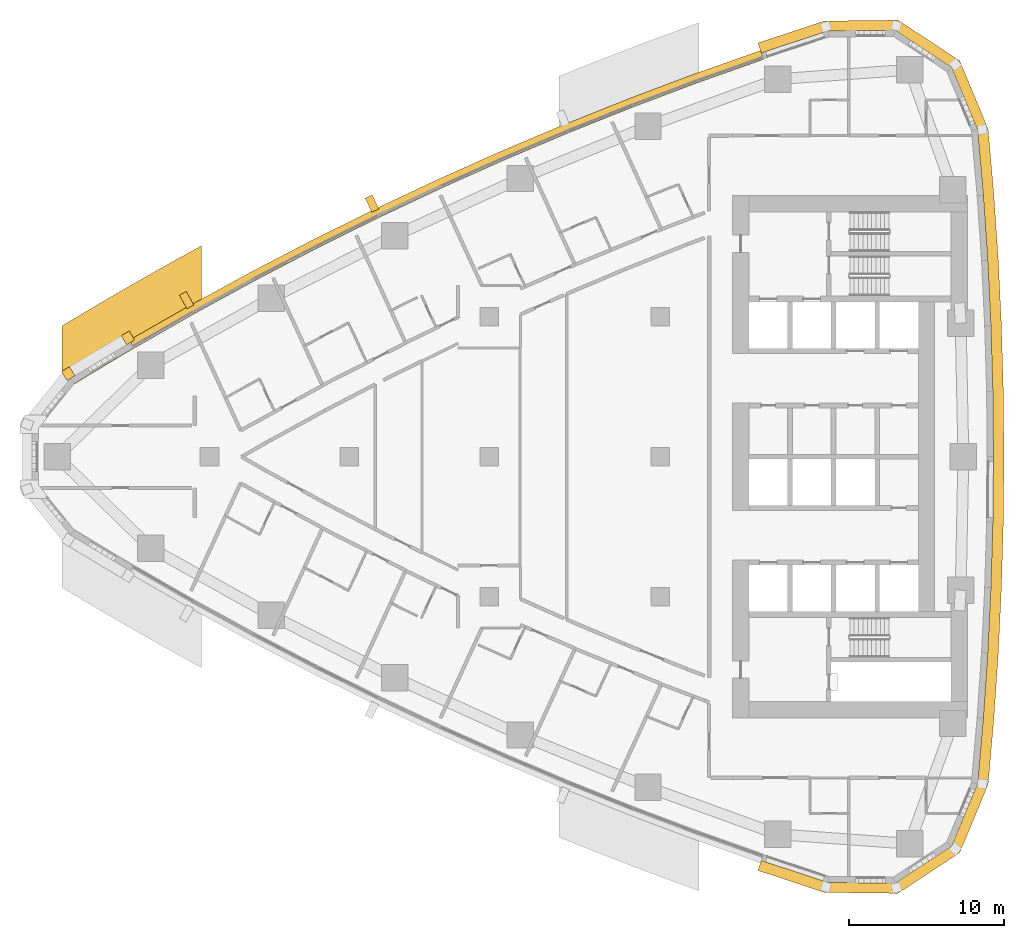
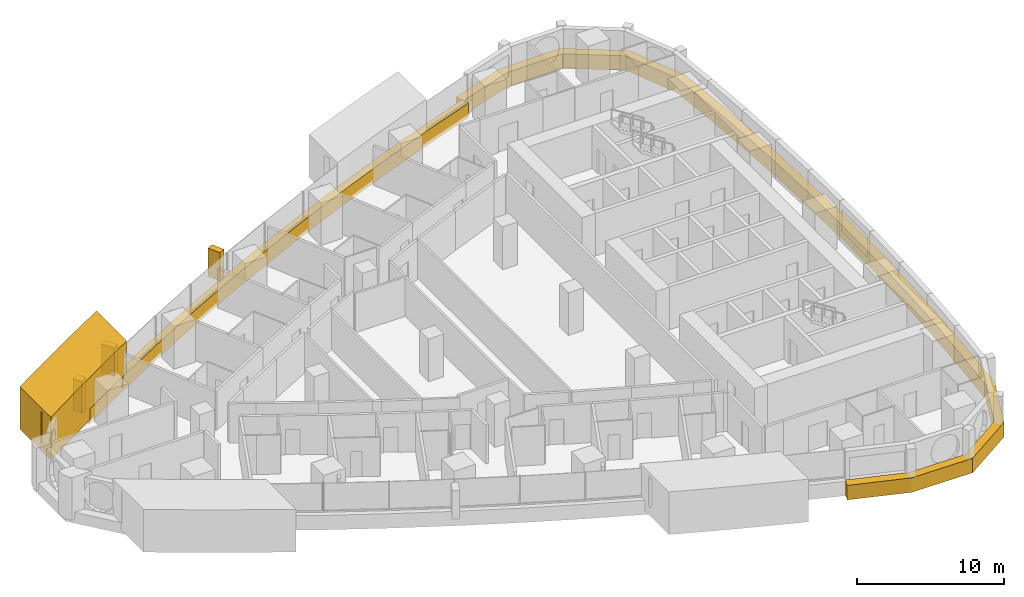
# One storey, part 16 of 17: 7 coverings.
"""IFC4 building model written with IfcOpenShell, lengths in metres."""

from ifc_helpers import new_model, si_unit, direction, frame, frame_2d, origin, place, context, subcontext, project, spatial, polyline, rectangle, outline, extrude, material, layer, layer_set, type_object, element, save


model = new_model("IFC4")

# Units and contexts
model_context = context("Model", 3, precision=1e-05, world=origin(), true_north=direction((0.0, 1.0)))
body_context = subcontext(model_context, "Body", "Model", "MODEL_VIEW")
ifc_project = project(units=[si_unit("LENGTHUNIT", "METRE"), si_unit("AREAUNIT", "SQUARE_METRE"), si_unit("VOLUMEUNIT", "CUBIC_METRE"), si_unit("PLANEANGLEUNIT", "RADIAN"), si_unit("MASSUNIT", "GRAM", prefix="KILO")], contexts=[model_context])

# Site, building, storey
site_placement = place(None, origin())
site = spatial("IfcSite", under=ifc_project, at=site_placement, CompositionType="ELEMENT")
building_placement = place(site_placement, origin())
building = spatial("IfcBuilding", under=site, at=building_placement, Name="Ostrand Prow Hotel Tower", CompositionType="ELEMENT")
storey_placement = place(building_placement, frame((0.0, 0.0, 109.75)))
storey = spatial("IfcBuildingStorey", under=building, at=storey_placement, Name="L26", CompositionType="ELEMENT", Elevation=109.75)

# Coverings
ifc_material_1 = material(Name="Bronze anodised aluminium cladding", Category="aluminium")
ifc_layer_1 = layer(ifc_material_1, 0.60009765625)
ifc_layer_set_1 = layer_set([ifc_layer_1], Name="Bronze anodised aluminium cladding")
covering_type_1 = type_object("IfcCoveringType", Name="Bronze spandrel band 1200x600", PredefinedType="CLADDING", material=ifc_layer_set_1)
covering_1_placement = place(storey_placement, frame((0.0, 0.0, -0.300048828125)))
element("IfcCovering", 1, at=covering_1_placement, inside=storey, type_object=covering_type_1, Name="Spandrel band N1", PredefinedType="CLADDING", context=body_context, shape_type="SweptSolid", body=[
    extrude(outline(polyline([(51.4501953125, 26.1328125), (47.231201171875, 24.64013671875), (43.042724609375, 23.0634765625), (38.88671875, 21.4033203125), (34.764892578125, 19.659912109375), (30.6787109375, 17.834716796875), (26.6298828125, 15.927734375), (22.620361328125, 13.940185546875), (18.651123046875, 11.872802734375), (14.72412109375, 9.726318359375), (10.841064453125, 7.50146484375), (11.144287109375, 6.98388671875), (15.01708984375, 9.20263671875), (18.93359375, 11.343505859375), (22.89208984375, 13.4052734375), (26.89111328125, 15.3876953125), (30.928955078125, 17.289306640625), (35.004150390625, 19.10986328125), (39.114990234375, 20.848388671875), (43.259765625, 22.504150390625), (47.43701171875, 24.076416015625), (51.644775390625, 25.56494140625), (51.4501953125, 26.1328125)])), origin(), (0.0, 0.0, 1.0), 1.199951171875),
])
covering_2_placement = place(storey_placement, frame((0.0, 0.0, -0.300048828125)))
element("IfcCovering", 2, at=covering_2_placement, inside=storey, type_object=covering_type_1, Name="Spandrel band back 1", PredefinedType="CLADDING", context=body_context, shape_type="SweptSolid", body=[
    extrude(outline(polyline([(51.28369140625, -26.619384765625), (55.54150390625, -28.0302734375), (60.2958984375, -28.09033203125), (64.267578125, -25.476806640625), (66.09326171875, -21.086669921875), (66.460693359375, -16.87890625), (66.74658203125, -12.664794921875), (66.950927734375, -8.44580078125), (67.073486328125, -4.2236328125), (67.114501953125, 0.0), (67.073486328125, 4.2236328125), (66.950927734375, 8.44580078125), (66.74658203125, 12.664794921875), (66.460693359375, 16.87890625), (66.09326171875, 21.086669921875), (64.267578125, 25.476806640625), (60.2958984375, 28.09033203125), (55.54150390625, 28.0302734375), (51.28369140625, 26.619384765625), (51.50390625, 25.97607421875), (55.7490234375, 27.3828125), (60.104736328125, 27.437744140625), (63.74365234375, 25.043212890625), (65.41650390625, 21.02099609375), (65.78271484375, 16.826416015625), (66.067626953125, 12.625244140625), (66.271484375, 8.41943359375), (66.393798828125, 4.21044921875), (66.434326171875, 0.0), (66.393798828125, -4.21044921875), (66.271484375, -8.41943359375), (66.067626953125, -12.625244140625), (65.78271484375, -16.826416015625), (65.41650390625, -21.02099609375), (63.74365234375, -25.043212890625), (60.104736328125, -27.437744140625), (55.7490234375, -27.3828125), (51.50390625, -25.97607421875), (51.28369140625, -26.619384765625)])), origin(), (0.0, 0.0, 1.0), 1.199951171875),
])
ifc_material_2 = material(Name="Limestone cladding", Category="masonry")
ifc_layer_2 = layer(ifc_material_2, 5.0)
ifc_layer_set_2 = layer_set([ifc_layer_2], Name="Limestone cladding")
covering_type_2 = type_object("IfcCoveringType", Name="Portal jamb pilaster limestone", PredefinedType="CLADDING", material=ifc_layer_set_2)
covering_3_placement = place(storey_placement, origin())
element("IfcCovering", 3, at=covering_3_placement, inside=storey, type_object=covering_type_2, Name="Portal jamb NA L26", PredefinedType="CLADDING", context=body_context, shape_type="SweptSolid", body=[
    extrude(outline(polyline([(6.5, 4.184326171875), (7.5, 4.80029296875), (8.5, 5.40869140625), (9.5, 6.01025390625), (10.5, 6.6044921875), (11.5, 7.19189453125), (12.5, 7.772216796875), (13.5, 8.345703125), (14.5, 8.912353515625), (15.5, 9.47216796875), (15.5, 13.581787109375), (14.5, 13.03369140625), (13.5, 12.478759765625), (12.5, 11.91748046875), (11.5, 11.349365234375), (10.5, 10.7744140625), (9.5, 10.19287109375), (8.5, 9.604248046875), (7.5, 9.0087890625), (6.5, 8.40625), (6.5, 4.184326171875)])), origin(), (0.0, 0.0, 1.0), 3.550048828125),
])
ifc_material_3 = material(Name="Limestone cladding", Category="masonry")
ifc_layer_3 = layer(ifc_material_3, 0.5)
ifc_layer_set_3 = layer_set([ifc_layer_3], Name="Limestone cladding")
covering_type_3 = type_object("IfcCoveringType", Name="Precast stone fin 500x900", PredefinedType="CLADDING", material=ifc_layer_set_3)
for number, where, z_axis, x_axis, name in (
    (4, (26.673583984375, 15.837646484375, 0.89990234375), (0.0, 0.0, 1.0), (-0.435261006131, 0.900304313298, 0.0), "Stone fin N 7"),
    (5, (14.77294921875, 9.638916015625, 0.89990234375), (0.0, 0.0, 1.0), (-0.48823165008, 0.872714074517, 0.0), "Stone fin N 10"),
):
    element("IfcCovering", number, at=place(storey_placement, frame(where, z_axis=z_axis, x_axis=x_axis)), inside=storey, type_object=covering_type_3, Name=name, PredefinedType="CLADDING", context=body_context, shape_type="SweptSolid", body=[
        extrude(rectangle(XDim=1.0, YDim=0.5, at=frame_2d((0.5, 0.0))), origin(), (0.0, 0.0, 1.0), 2.35009765625),
    ])
ifc_material_4 = material(Name="Limestone cladding", Category="masonry")
ifc_layer_4 = layer(ifc_material_4, 0.60009765625)
ifc_layer_set_4 = layer_set([ifc_layer_4], Name="Limestone cladding")
covering_type_4 = type_object("IfcCoveringType", Name="Precast stone prow rib 600x600", PredefinedType="CLADDING", material=ifc_layer_set_4)
covering_4_placement = place(storey_placement, frame((10.9248046875, 7.358642578125, 0.60009765625), z_axis=(0.0, 0.0, 1.0), x_axis=(-0.505811626043, 0.862643958397, 0.0)))
element("IfcCovering", 6, at=covering_4_placement, inside=storey, type_object=covering_type_4, Name="Stone prow rib 1", PredefinedType="CLADDING", context=body_context, shape_type="SweptSolid", body=[
    extrude(rectangle(XDim=0.68017578125, YDim=0.60009765625, at=frame_2d((0.340087890625, 0.0))), origin(), (0.0, 0.0, 1.0), 2.64990234375),
])
covering_5_placement = place(storey_placement, frame((7.089599609375, 5.058349609375, 0.60009765625), z_axis=(0.0, 0.0, 1.0), x_axis=(-0.522814637618, 0.852446394029, 0.0)))
element("IfcCovering", 7, at=covering_5_placement, inside=storey, type_object=covering_type_4, Name="Stone prow rib 2", PredefinedType="CLADDING", context=body_context, shape_type="SweptSolid", body=[
    extrude(rectangle(XDim=0.679931640625, YDim=0.60009765625, at=frame_2d((0.33984375, 0.0))), origin(), (0.0, 0.0, 1.0), 2.64990234375),
])

save(model, "model.ifc")
